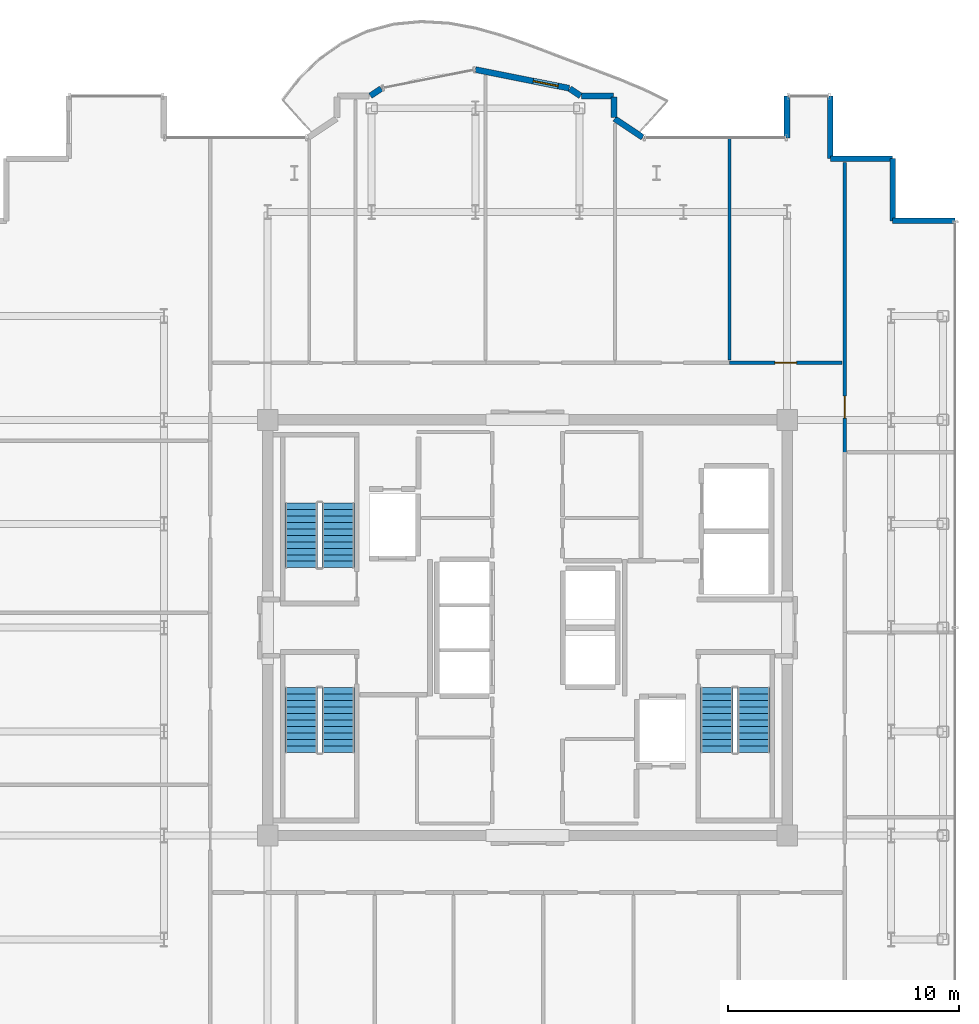
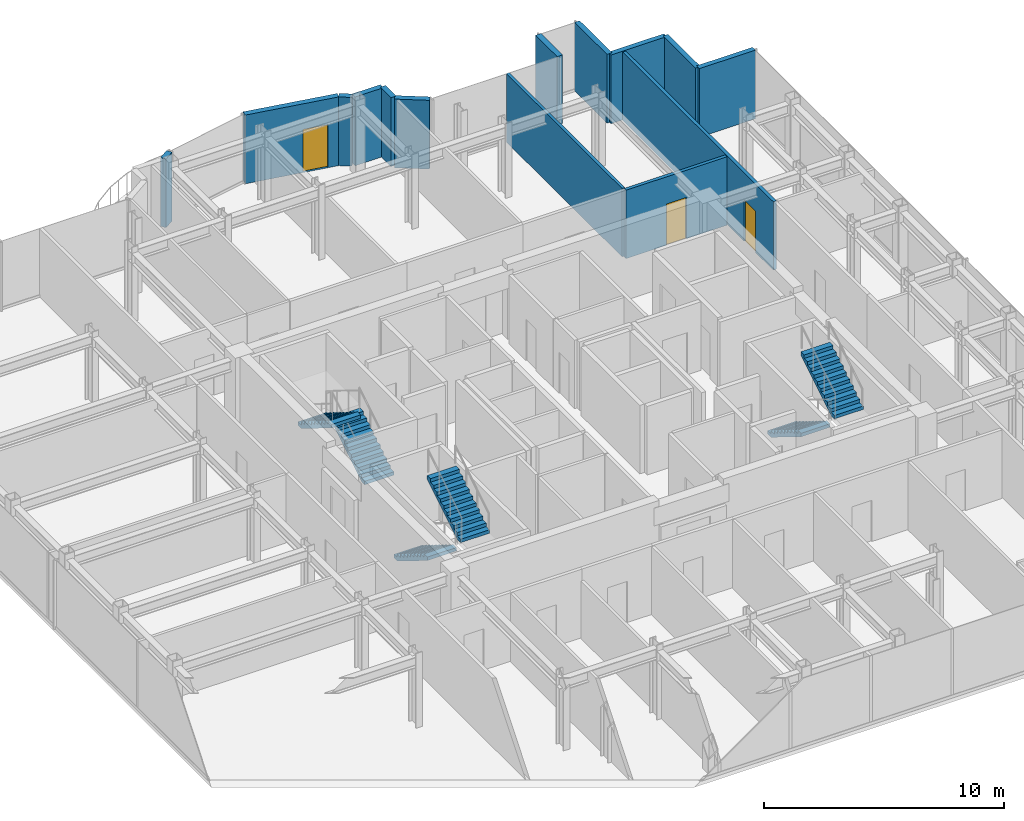
# One storey, part 17 of 18: 14 walls, 6 stair flights, 3 doors, 3 openings, 3 elements without a shape of their own.
"""IFC4 building model written with IfcOpenShell, lengths in metres."""

import ifcopenshell
import ifcopenshell.guid

model = None  # the IFC model being written
_history = None  # IfcOwnerHistory: only IFC2X3 demands one
_inside = {}  # id of a spatial element -> (the spatial element, [elements in it])
_under = {}  # id of a project, library or spatial element -> (it, [spatial elements below it])
_declared = {}  # id of a project -> (the project, [libraries it declares])
_typed = {}  # id of a type object -> (the type object, [elements of that type])
_made_of = {}  # id of a material, layer set ... -> (it, [elements and type objects made of it])


def new_model(schema):
    """Start an empty IFC model of exactly this schema.

    Asked for "IFC4X3", IfcOpenShell would pick the latest addendum, in which some entities
    have other attributes; the version numbers below select the first issue.
    IFC2X3 requires an IfcOwnerHistory on every rooted entity: one is made here for all.
    """
    global model, _history
    if schema == "IFC4X3":
        model = ifcopenshell.file(schema_version=(4, 3, 0, 0))
    else:
        model = ifcopenshell.file(schema=schema)
    _inside.clear()
    _under.clear()
    _declared.clear()
    _typed.clear()
    _made_of.clear()
    _history = None
    if model.schema == "IFC2X3":
        org = make("IfcOrganization", Name="unknown")
        user = make(
            "IfcPersonAndOrganization",
            ThePerson=make("IfcPerson", FamilyName="unknown"),
            TheOrganization=org,
        )
        app = make(
            "IfcApplication",
            ApplicationDeveloper=org,
            Version="unknown",
            ApplicationFullName="unknown",
            ApplicationIdentifier="unknown",
        )
        _history = make(
            "IfcOwnerHistory",
            OwningUser=user,
            OwningApplication=app,
            ChangeAction="ADDED",
            CreationDate=0,
        )
    return model


def make(cls, **values):
    """One entity of the class cls with the attributes given. An attribute that is None is left unset."""
    return model.create_entity(
        cls, **{name: value for name, value in values.items() if value is not None}
    )


def rooted(cls, **values):
    """An entity with a GlobalId (a new one), such as an element, a storey or a relation."""
    return make(cls, GlobalId=ifcopenshell.guid.new(), OwnerHistory=_history, **values)


def si_unit(unit_type, name, prefix=None):
    """IfcSIUnit, for example si_unit("LENGTHUNIT", "METRE", prefix="MILLI")."""
    return make("IfcSIUnit", UnitType=unit_type, Prefix=prefix, Name=name)


def assignment(units):
    """IfcUnitAssignment: the units of a project."""
    return None if units is None else make("IfcUnitAssignment", Units=units)


def point(xyz):
    """IfcCartesianPoint."""
    return None if xyz is None else make("IfcCartesianPoint", Coordinates=xyz)


def direction(xyz):
    """IfcDirection."""
    return None if xyz is None else make("IfcDirection", DirectionRatios=xyz)


def frame(location, z_axis=None, x_axis=None):
    """IfcAxis2Placement3D, a coordinate frame: its origin and axes. An axis left out is left unset."""
    return make(
        "IfcAxis2Placement3D",
        Location=point(location),
        Axis=direction(z_axis),
        RefDirection=direction(x_axis),
    )


def frame_2d(location, x_axis=None):
    """IfcAxis2Placement2D, a coordinate frame in the plane: its origin and x axis."""
    return make(
        "IfcAxis2Placement2D", Location=point(location), RefDirection=direction(x_axis)
    )


def origin():
    """The frame at (0, 0, 0) with its axes left unset."""
    return frame((0.0, 0.0, 0.0))


def place(relative_to, where):
    """IfcLocalPlacement: puts the frame where relative to a parent placement (None: the world)."""
    return make(
        "IfcLocalPlacement", PlacementRelTo=relative_to, RelativePlacement=where
    )


def context(
    kind, dimensions, precision=None, world=None, true_north=None, identifier=None
):
    """IfcGeometricRepresentationContext, for example the 3D "Model" context."""
    return make(
        "IfcGeometricRepresentationContext",
        ContextIdentifier=identifier,
        ContextType=kind,
        CoordinateSpaceDimension=dimensions,
        Precision=precision,
        WorldCoordinateSystem=world,
        TrueNorth=true_north,
    )


def subcontext(parent, identifier, kind, view, scale=None):
    """IfcGeometricRepresentationSubContext, for example "Body" below "Model"."""
    return make(
        "IfcGeometricRepresentationSubContext",
        ContextIdentifier=identifier,
        ContextType=kind,
        ParentContext=parent,
        TargetScale=scale,
        TargetView=view,
    )


def project(units=None, contexts=None):
    """IfcProject with its units and contexts."""
    return rooted(
        "IfcProject",
        Name="project",
        RepresentationContexts=contexts,
        UnitsInContext=assignment(units),
    )


def spatial(cls, under=None, at=None, **own):
    """A site, building, storey or space (cls), placed at a placement, below another one or the project."""
    s = rooted(cls, ObjectPlacement=at, **own)
    if under is not None:
        _under.setdefault(under.id(), (under, []))[1].append(s)
    return s


def polyline(points):
    """IfcPolyline through the points."""
    return make("IfcPolyline", Points=[point(p) for p in points])


def profile(cls, at=None, kind="AREA", **sizes):
    """A parametric profile (cls). Its sizes go by their IFC names, for example OverallWidth=200.0."""
    return make(cls, ProfileType=kind, Position=at, **sizes)


def rectangle(**sizes):
    """IfcRectangleProfileDef."""
    return profile("IfcRectangleProfileDef", **sizes)


def outline(outer, holes=None, kind="AREA"):
    """IfcArbitraryClosedProfileDef: a profile drawn as a closed curve; with holes, ...WithVoids."""
    if holes is None:
        return make("IfcArbitraryClosedProfileDef", ProfileType=kind, OuterCurve=outer)
    return make(
        "IfcArbitraryProfileDefWithVoids",
        ProfileType=kind,
        OuterCurve=outer,
        InnerCurves=holes,
    )


def extrude(swept, where, along, depth):
    """IfcExtrudedAreaSolid: the profile swept, set in the frame where, extruded along a direction by depth."""
    return make(
        "IfcExtrudedAreaSolid",
        SweptArea=swept,
        Position=where,
        ExtrudedDirection=direction(along),
        Depth=depth,
    )


def shape(context_of_items, identifier, shape_type, items):
    """IfcShapeRepresentation: the items that make up one representation, for example the "Body"."""
    return make(
        "IfcShapeRepresentation",
        ContextOfItems=context_of_items,
        RepresentationIdentifier=identifier,
        RepresentationType=shape_type,
        Items=items,
    )


def source(mapping_origin, context_of_items, identifier, shape_type, items):
    """IfcRepresentationMap: a shape defined once, which mapped items show again and again."""
    return make(
        "IfcRepresentationMap",
        MappingOrigin=mapping_origin,
        MappedRepresentation=shape(context_of_items, identifier, shape_type, items),
    )


def transform(
    local_origin,
    x_axis=None,
    y_axis=None,
    z_axis=None,
    scale=None,
    scale2=None,
    scale3=None,
    uniform=True,
):
    """IfcCartesianTransformationOperator3D, or its non-uniform kind. x_axis, y_axis, z_axis: its Axis1, 2, 3."""
    if uniform:
        return make(
            "IfcCartesianTransformationOperator3D",
            Axis1=direction(x_axis),
            Axis2=direction(y_axis),
            LocalOrigin=point(local_origin),
            Scale=scale,
            Axis3=direction(z_axis),
        )
    return make(
        "IfcCartesianTransformationOperator3DnonUniform",
        Axis1=direction(x_axis),
        Axis2=direction(y_axis),
        LocalOrigin=point(local_origin),
        Scale=scale,
        Axis3=direction(z_axis),
        Scale2=scale2,
        Scale3=scale3,
    )


def mapped(mapping_source, mapping_target):
    """IfcMappedItem: shows the shape of a source again, moved by a transform."""
    return make(
        "IfcMappedItem", MappingSource=mapping_source, MappingTarget=mapping_target
    )


def material(Name=None, Category=None):
    """IfcMaterial."""
    return make("IfcMaterial", Name=Name, Category=Category)


def layer(
    of_material, thickness, ventilated=None, Name=None, Category=None, Priority=None
):
    """IfcMaterialLayer: one layer of a wall or slab, of a material (None: an air gap)."""
    return make(
        "IfcMaterialLayer",
        Material=of_material,
        LayerThickness=thickness,
        IsVentilated=ventilated,
        Name=Name,
        Category=Category,
        Priority=Priority,
    )


def layer_set(layers, Name=None):
    """IfcMaterialLayerSet."""
    return make("IfcMaterialLayerSet", MaterialLayers=layers, LayerSetName=Name)


def made_of(thing, what):
    """Note that an element or type object is made of a material, layer set ...; save() writes the relation."""
    if what is not None:
        _made_of.setdefault(what.id(), (what, []))[1].append(thing)
    return thing


def type_object(cls, material=None, **own):
    """A type object (cls), such as IfcWallType, which elements share."""
    return made_of(rooted(cls, **own), material)


def element(
    cls,
    number,
    at=None,
    inside=None,
    cuts=None,
    type_object=None,
    material=None,
    context=None,
    identifier="Body",
    shape_type=None,
    held_by="IfcProductDefinitionShape",
    body=None,
    shapes=None,
    **own,
):
    """One element of the class cls, such as IfcWall. Its Tag is "e" and its number.

    at: its placement. inside: the storey or other place that contains it. cuts: it is an
    opening in that element (IfcRelVoidsElement). A single representation is given by context,
    identifier, shape_type and body (its items); several are given by shapes. held_by: the class
    of the entity that holds the representations. save() writes the other relations.
    """
    e = rooted(cls, Tag="e%d" % number, ObjectPlacement=at, **own)
    if body is not None:
        shapes = [shape(context, identifier, shape_type, body)]
    if shapes is not None:
        e.Representation = make(held_by, Representations=shapes)
    if inside is not None:
        _inside.setdefault(inside.id(), (inside, []))[1].append(e)
    if cuts is not None:
        rooted(
            "IfcRelVoidsElement", RelatingBuildingElement=cuts, RelatedOpeningElement=e
        )
    if type_object is not None:
        _typed.setdefault(type_object.id(), (type_object, []))[1].append(e)
    return made_of(e, material)


def fill(opening, filler):
    """IfcRelFillsElement: the door or window that sits in an opening."""
    return rooted(
        "IfcRelFillsElement",
        RelatingOpeningElement=opening,
        RelatedBuildingElement=filler,
    )


def aggregate(whole, parts):
    """IfcRelAggregates: a whole, such as a stair, and the parts it consists of."""
    return rooted("IfcRelAggregates", RelatingObject=whole, RelatedObjects=parts)


def save(model, path):
    """Write the relations noted so far, then the file.

    IfcRelAggregates (storeys below a building ...), IfcRelContainedInSpatialStructure (elements
    in a storey), IfcRelDefinesByType, IfcRelAssociatesMaterial and IfcRelDeclares: one each for
    every whole, place, type object, material and project.
    """
    for whole, parts in _under.values():
        aggregate(whole, parts)
    for where, things in _inside.values():
        rooted(
            "IfcRelContainedInSpatialStructure",
            RelatedElements=things,
            RelatingStructure=where,
        )
    for kind, things in _typed.values():
        rooted("IfcRelDefinesByType", RelatedObjects=things, RelatingType=kind)
    for what, things in _made_of.values():
        rooted("IfcRelAssociatesMaterial", RelatedObjects=things, RelatingMaterial=what)
    for by, libraries in _declared.values():
        rooted("IfcRelDeclares", RelatingContext=by, RelatedDefinitions=libraries)
    model.write(path)


model = new_model("IFC4")

# Units and contexts
model_context = context("Model", 3, precision=1e-05, world=origin(), true_north=direction((0.0, 1.0)))
body_context = subcontext(model_context, "Body", "Model", "MODEL_VIEW")
ifc_project = project(units=[si_unit("LENGTHUNIT", "METRE"), si_unit("AREAUNIT", "SQUARE_METRE"), si_unit("VOLUMEUNIT", "CUBIC_METRE"), si_unit("PLANEANGLEUNIT", "RADIAN"), si_unit("MASSUNIT", "GRAM", prefix="KILO")], contexts=[model_context])

# Site, building, storey
site_placement = place(None, origin())
site = spatial("IfcSite", under=ifc_project, at=site_placement, CompositionType="ELEMENT")
building_placement = place(site_placement, origin())
building = spatial("IfcBuilding", under=site, at=building_placement, Name="Nefas-Gora Pilgrimage Tower", CompositionType="ELEMENT")
storey_placement = place(building_placement, frame((0.0, 0.0, 314.0)))
storey = spatial("IfcBuildingStorey", under=building, at=storey_placement, Name="L79", CompositionType="ELEMENT", Elevation=314.0)

# Walls
ifc_material_1 = material(Name="Precast concrete C40/50", Category="concrete")
ifc_layer_1 = layer(ifc_material_1, 0.260009765625)
ifc_layer_set_1 = layer_set([ifc_layer_1], Name="Precast concrete C40/50")
wall_type_1 = type_object("IfcWallType", Name="EW-PORTAL-260", PredefinedType="SOLIDWALL", material=ifc_layer_set_1)
shared_shape_1 = source(origin(), body_context, "Body", "SweptSolid", [
    extrude(rectangle(XDim=1.800048828125, YDim=0.260009765625, at=frame_2d((0.89990234375, 0.0))), origin(), (0.0, 0.0, 1.0), 3.5),
])
wall_1_placement = place(storey_placement, frame((11.25, 23.02001953125, 0.0), z_axis=(0.0, 0.0, 1.0), x_axis=(0.0, -1.0, 0.0)))
element("IfcWall", 1, at=wall_1_placement, inside=storey, type_object=wall_type_1, Name="L79 Lobe Shoulder Precast Spandrel Pier 6", PredefinedType="SOLIDWALL", context=body_context, shape_type="MappedRepresentation", body=[
    mapped(shared_shape_1, transform((0.0, 0.0, 0.0), x_axis=(1.0, 0.0, 0.0), y_axis=(0.0, 1.0, 0.0), z_axis=(0.0, 0.0, 1.0), scale=1.0)),
])
ifc_material_2 = material(Name="Precast concrete C45/55", Category="concrete")
ifc_layer_2 = layer(ifc_material_2, 0.239990234375)
ifc_layer_set_2 = layer_set([ifc_layer_2], Name="Precast concrete C45/55")
wall_type_2 = type_object("IfcWallType", Name="EW-SERR-240", PredefinedType="SHEAR", material=ifc_layer_set_2)
shared_shape_2 = source(origin(), body_context, "Body", "SweptSolid", [
    extrude(rectangle(XDim=2.699951171875, YDim=0.239990234375, at=frame_2d((1.35009765625, 0.0))), origin(), (0.0, 0.0, 1.0), 3.5),
])
for number, where, z_axis, x_axis, name in (
    (2, (18.52001953125, 17.6201171875, 0.0), (0.0, 0.0, 1.0), (-1.0, 0.0, 0.0), "L79 Serrated Corner Shear Pier Wall 2"),
    (3, (15.820068359375, 17.6201171875, 0.0), (0.0, 0.0, 1.0), (0.0, 1.0, 0.0), "L79 Serrated Corner Shear Pier Wall 3"),
    (4, (15.820068359375, 20.320068359375, 0.0), (0.0, 0.0, 1.0), (-1.0, 0.0, 0.0), "L79 Serrated Corner Shear Pier Wall 4"),
    (5, (13.1201171875, 20.320068359375, 0.0), (0.0, 0.0, 1.0), (0.0, 1.0, 0.0), "L79 Serrated Corner Shear Pier Wall 5"),
):
    element("IfcWall", number, at=place(storey_placement, frame(where, z_axis=z_axis, x_axis=x_axis)), inside=storey, type_object=wall_type_2, Name=name, PredefinedType="SHEAR", context=body_context, shape_type="MappedRepresentation", body=[
        mapped(shared_shape_2, transform((0.0, 0.0, 0.0), x_axis=(1.0, 0.0, 0.0), y_axis=(0.0, 1.0, 0.0), z_axis=(0.0, 0.0, 1.0), scale=1.0)),
    ])
shared_shape_3 = source(origin(), body_context, "Body", "SweptSolid", [
    extrude(rectangle(XDim=1.468994140625, YDim=0.260009765625, at=frame_2d((0.734375, 0.0))), origin(), (0.0, 0.0, 1.0), 3.5),
])
wall_2_placement = place(storey_placement, frame((4.99462890625, 21.235595703125, 0.0), z_axis=(0.0, 0.0, 1.0), x_axis=(-0.831461760506, 0.555581983884, 0.0)))
element("IfcWall", 6, at=wall_2_placement, inside=storey, type_object=wall_type_1, Name="L79 Lobe Shoulder Precast Spandrel Pier 7", PredefinedType="SOLIDWALL", context=body_context, shape_type="MappedRepresentation", body=[
    mapped(shared_shape_3, transform((0.0, 0.0, 0.0), x_axis=(1.0, 0.0, 0.0), y_axis=(0.0, 1.0, 0.0), z_axis=(0.0, 0.0, 1.0), scale=1.0)),
])
shared_shape_4 = source(origin(), body_context, "Body", "SweptSolid", [
    extrude(rectangle(XDim=0.896728515625, YDim=0.260009765625, at=frame_2d((0.4482421875, 0.0))), origin(), (0.0, 0.0, 1.0), 3.5),
])
wall_3_placement = place(storey_placement, frame((3.75, 22.09521484375, 0.0), z_axis=(0.0, 0.0, 1.0), x_axis=(0.0, 1.0, 0.0)))
element("IfcWall", 7, at=wall_3_placement, inside=storey, type_object=wall_type_1, Name="L79 Lobe Shoulder Precast Spandrel Pier 8", PredefinedType="SOLIDWALL", context=body_context, shape_type="MappedRepresentation", body=[
    mapped(shared_shape_4, transform((0.0, 0.0, 0.0), x_axis=(1.0, 0.0, 0.0), y_axis=(0.0, 1.0, 0.0), z_axis=(0.0, 0.0, 1.0), scale=1.0)),
])
shared_shape_5 = source(origin(), body_context, "Body", "SweptSolid", [
    extrude(rectangle(XDim=1.369873046875, YDim=0.260009765625, at=frame_2d((0.68505859375, 0.0))), origin(), (0.0, 0.0, 1.0), 3.5),
])
wall_4_placement = place(storey_placement, frame((3.721923828125, 23.02001953125, 0.0), z_axis=(0.0, 0.0, 1.0), x_axis=(-1.0, 0.0, 0.0)))
element("IfcWall", 8, at=wall_4_placement, inside=storey, type_object=wall_type_1, Name="L79 Lobe Shoulder Precast Spandrel Pier 9", PredefinedType="SOLIDWALL", context=body_context, shape_type="MappedRepresentation", body=[
    mapped(shared_shape_5, transform((0.0, 0.0, 0.0), x_axis=(1.0, 0.0, 0.0), y_axis=(0.0, 1.0, 0.0), z_axis=(0.0, 0.0, 1.0), scale=1.0)),
])
shared_shape_6 = source(origin(), body_context, "Body", "SweptSolid", [
    extrude(rectangle(XDim=0.5654296875, YDim=0.260009765625, at=frame_2d((0.28271484375, 0.0))), origin(), (0.0, 0.0, 1.0), 3.5),
])
for number, where, z_axis, x_axis, name in (
    (9, (2.30078125, 23.03564453125, 0.0), (0.0, 0.0, 1.0), (-0.831651492666, 0.555297933317, 0.0), "L79 Lobe Shoulder Precast Spandrel Pier 10"),
    (10, (-6.33056640625, 23.349609375, 0.0), (0.0, 0.0, 1.0), (-0.831651492666, -0.555297933317, 0.0), "L79 Lobe Shoulder Precast Spandrel Pier 12"),
):
    element("IfcWall", number, at=place(storey_placement, frame(where, z_axis=z_axis, x_axis=x_axis)), inside=storey, type_object=wall_type_1, Name=name, PredefinedType="SOLIDWALL", context=body_context, shape_type="MappedRepresentation", body=[
        mapped(shared_shape_6, transform((0.0, 0.0, 0.0), x_axis=(1.0, 0.0, 0.0), y_axis=(0.0, 1.0, 0.0), z_axis=(0.0, 0.0, 1.0), scale=1.0)),
    ])

# Wall, opening, door
shared_shape_7 = source(origin(), body_context, "Body", "SweptSolid", [
    extrude(rectangle(XDim=4.136962890625, YDim=0.260009765625, at=frame_2d((2.068359375, 0.0))), origin(), (0.0, 0.0, 1.0), 3.5),
])
wall_5_placement = place(storey_placement, frame((1.807373046875, 23.365234375, 0.0), z_axis=(0.0, 0.0, 1.0), x_axis=(-0.980782170794, 0.195105954428, 0.0)))
wall_5 = element("IfcWall", 11, at=wall_5_placement, inside=storey, type_object=wall_type_1, Name="L79 Insulated Terrace Portal Wall 11", PredefinedType="SOLIDWALL", context=body_context, shape_type="MappedRepresentation", body=[
    mapped(shared_shape_7, transform((0.0, 0.0, 0.0), x_axis=(1.0, 0.0, 0.0), y_axis=(0.0, 1.0, 0.0), z_axis=(0.0, 0.0, 1.0), scale=1.0)),
])
opening_1_placement = place(wall_5_placement, frame((0.48779296875, 0.0, 0.0)))
opening_1 = element("IfcOpeningElement", 12, at=opening_1_placement, cuts=wall_5, Name="Opening ED-B1", PredefinedType="OPENING", context=body_context, shape_type="SweptSolid", body=[
    extrude(rectangle(XDim=1.10009765625, YDim=2.199951171875, at=frame_2d((0.550048828125, 1.10009765625))), frame((0.0, 0.139892578125, 0.0), z_axis=(0.0, -1.0, 0.0), x_axis=(1.0, 0.0, 0.0)), (0.0, 0.0, 1.0), 0.280029296875),
])
ifc_material_3 = material(Name="Thermally broken glazed aluminium balcony door", Category="aluminium")
door_type_1 = type_object("IfcDoorType", Name="DR-EXT-BAL-1100", OperationType="NOTDEFINED", PredefinedType="DOOR", material=ifc_material_3)
shared_shape_8 = source(origin(), body_context, "Body", "SweptSolid", [
    extrude(rectangle(XDim=1.10009765625, YDim=2.199951171875, at=frame_2d((0.550048828125, 1.10009765625))), frame((0.0, 0.02490234375, 0.0), z_axis=(0.0, -1.0, 0.0), x_axis=(1.0, 0.0, 0.0)), (0.0, 0.0, 1.0), 0.050048828125),
])
door_1_placement = place(opening_1_placement, origin())
door_1 = element("IfcDoor", 13, at=door_1_placement, inside=storey, type_object=door_type_1, Name="L79 Exterior Door (L79 N Lobe Wave Balcony)", OperationType="SINGLE_SWING_LEFT", OverallHeight=2.199951171875, OverallWidth=1.10009765625, PredefinedType="DOOR", context=body_context, shape_type="MappedRepresentation", body=[
    mapped(shared_shape_8, transform((0.0, 0.0, 0.0), x_axis=(1.0, 0.0, 0.0), y_axis=(0.0, 1.0, 0.0), z_axis=(0.0, 0.0, 1.0), scale=1.0)),
])
fill(opening_1, door_1)

# Wall
ifc_material_4 = material(Name="Gypsum twin-stud partition")
ifc_layer_3 = layer(ifc_material_4, 0.139892578125)
ifc_layer_set_3 = layer_set([ifc_layer_3], Name="Gypsum twin-stud partition")
wall_type_3 = type_object("IfcWallType", Name="IW-UNIT-140", PredefinedType="PARTITIONING", material=ifc_layer_set_3)
shared_shape_9 = source(origin(), body_context, "Body", "SweptSolid", [
    extrude(rectangle(XDim=9.64990234375, YDim=0.139892578125, at=frame_2d((4.824951171875, 0.0))), origin(), (0.0, 0.0, 1.0), 3.485107421875),
])
wall_6_placement = place(storey_placement, frame((8.75, 11.590087890625, 0.0), z_axis=(0.0, 0.0, 1.0), x_axis=(0.0, 1.0, 0.0)))
element("IfcWall", 14, at=wall_6_placement, inside=storey, type_object=wall_type_3, Name="L79 Pilgrim Contemplative Lounge Partition Wall 63", PredefinedType="PARTITIONING", context=body_context, shape_type="MappedRepresentation", body=[
    mapped(shared_shape_9, transform((0.0, 0.0, 0.0), x_axis=(1.0, 0.0, 0.0), y_axis=(0.0, 1.0, 0.0), z_axis=(0.0, 0.0, 1.0), scale=1.0)),
])

# Wall, opening, door
ifc_material_5 = material(Name="Gypsum acoustic stud partition")
ifc_layer_4 = layer(ifc_material_5, 0.159912109375)
ifc_layer_set_4 = layer_set([ifc_layer_4], Name="Gypsum acoustic stud partition")
wall_type_4 = type_object("IfcWallType", Name="IW-CORR-160", PredefinedType="PARTITIONING", material=ifc_layer_set_4)
shared_shape_10 = source(origin(), body_context, "Body", "SweptSolid", [
    extrude(rectangle(XDim=4.860107421875, YDim=0.159912109375, at=frame_2d((2.43017578125, 0.0))), origin(), (0.0, 0.0, 1.0), 3.485107421875),
])
wall_7_placement = place(storey_placement, frame((8.760009765625, 11.469970703125, 0.0), z_axis=(0.0, 0.0, 1.0), x_axis=(1.0, 0.0, 0.0)))
wall_7 = element("IfcWall", 15, at=wall_7_placement, inside=storey, type_object=wall_type_4, Name="L79 Pilgrim Contemplative Lounge Partition Wall 64", PredefinedType="PARTITIONING", context=body_context, shape_type="MappedRepresentation", body=[
    mapped(shared_shape_10, transform((0.0, 0.0, 0.0), x_axis=(1.0, 0.0, 0.0), y_axis=(0.0, 1.0, 0.0), z_axis=(0.0, 0.0, 1.0), scale=1.0)),
])
opening_2_placement = place(wall_7_placement, frame((1.955078125, 0.0, 0.0)))
opening_2 = element("IfcOpeningElement", 16, at=opening_2_placement, cuts=wall_7, Name="Opening ID-GR1", PredefinedType="OPENING", context=body_context, shape_type="SweptSolid", body=[
    extrude(rectangle(XDim=0.949951171875, YDim=2.10009765625, at=frame_2d((0.47509765625, 1.050048828125))), frame((0.0, 0.08984375, 0.0), z_axis=(0.0, -1.0, 0.0), x_axis=(1.0, 0.0, 0.0)), (0.0, 0.0, 1.0), 0.179931640625),
])
ifc_material_6 = material(Name="Solid core oak fire-rated guest entrance door")
door_type_2 = type_object("IfcDoorType", Name="DR-INT-GUEST-950", OperationType="NOTDEFINED", PredefinedType="DOOR", material=ifc_material_6)
shared_shape_11 = source(origin(), body_context, "Body", "SweptSolid", [
    extrude(rectangle(XDim=0.949951171875, YDim=2.10009765625, at=frame_2d((0.47509765625, 1.050048828125))), frame((0.0, 0.02490234375, 0.0), z_axis=(0.0, -1.0, 0.0), x_axis=(1.0, 0.0, 0.0)), (0.0, 0.0, 1.0), 0.050048828125),
])
door_2_placement = place(opening_2_placement, origin())
door_2 = element("IfcDoor", 17, at=door_2_placement, inside=storey, type_object=door_type_2, Name="L79 Pilgrim Contemplative Lounge Door 29", OperationType="SINGLE_SWING_RIGHT", OverallHeight=2.10009765625, OverallWidth=0.949951171875, PredefinedType="DOOR", context=body_context, shape_type="MappedRepresentation", body=[
    mapped(shared_shape_11, transform((0.0, 0.0, 0.0), x_axis=(1.0, 0.0, 0.0), y_axis=(0.0, 1.0, 0.0), z_axis=(0.0, 0.0, 1.0), scale=1.0)),
])
fill(opening_2, door_2)

shared_shape_12 = source(origin(), body_context, "Body", "SweptSolid", [
    extrude(rectangle(XDim=12.56494140625, YDim=0.159912109375, at=frame_2d((6.282470703125, 0.0))), origin(), (0.0, 0.0, 1.0), 3.485107421875),
])
wall_8_placement = place(storey_placement, frame((13.739990234375, 7.594970703125, 0.0), z_axis=(0.0, 0.0, 1.0), x_axis=(0.0, 1.0, 0.0)))
wall_8 = element("IfcWall", 18, at=wall_8_placement, inside=storey, type_object=wall_type_4, Name="L79 Pilgrim Contemplative Lounge Partition Wall 56", PredefinedType="PARTITIONING", context=body_context, shape_type="MappedRepresentation", body=[
    mapped(shared_shape_12, transform((0.0, 0.0, 0.0), x_axis=(1.0, 0.0, 0.0), y_axis=(0.0, 1.0, 0.0), z_axis=(0.0, 0.0, 1.0), scale=1.0)),
])
opening_3_placement = place(wall_8_placement, frame((1.482421875, 0.0, 0.0)))
opening_3 = element("IfcOpeningElement", 19, at=opening_3_placement, cuts=wall_8, Name="Opening ID-GR1", PredefinedType="OPENING", context=body_context, shape_type="SweptSolid", body=[
    extrude(rectangle(XDim=0.949951171875, YDim=2.10009765625, at=frame_2d((0.47509765625, 1.050048828125))), frame((0.0, 0.08984375, 0.0), z_axis=(0.0, -1.0, 0.0), x_axis=(1.0, 0.0, 0.0)), (0.0, 0.0, 1.0), 0.179931640625),
])
door_3_placement = place(opening_3_placement, origin())
door_3 = element("IfcDoor", 20, at=door_3_placement, inside=storey, type_object=door_type_2, Name="L79 Pilgrim Contemplative Lounge Door 24", OperationType="SINGLE_SWING_LEFT", OverallHeight=2.10009765625, OverallWidth=0.949951171875, PredefinedType="DOOR", context=body_context, shape_type="MappedRepresentation", body=[
    mapped(shared_shape_11, transform((0.0, 0.0, 0.0), x_axis=(1.0, 0.0, 0.0), y_axis=(0.0, 1.0, 0.0), z_axis=(0.0, 0.0, 1.0), scale=1.0)),
])
fill(opening_3, door_3)

# Stair, stair flights
ifc_material_7 = material(Name="Concrete C45/55", Category="concrete")
stair_type = type_object("IfcStairType", Name="STR-1400-R1727", PredefinedType="HALF_TURN_STAIR", material=ifc_material_7)
stair_1_placement = place(storey_placement, origin())
stair_1 = element("IfcStair", 21, at=stair_1_placement, inside=storey, type_object=stair_type, Name="L79 Pressurised Tower Exit Stair ST-01", PredefinedType="HALF_TURN_STAIR")
stair_flight_type = type_object("IfcStairFlightType", Name="STF-1400-R1727", PredefinedType="STRAIGHT", material=ifc_material_7)
shared_shape_13 = source(origin(), body_context, "Body", "SweptSolid", [
    extrude(outline(polyline([(0.0, 0.0), (0.0, 0.172607421875), (0.280029296875, 0.172607421875), (0.280029296875, 0.345458984375), (0.56005859375, 0.345458984375), (0.56005859375, 0.51806640625), (0.840087890625, 0.51806640625), (0.840087890625, 0.69091796875), (1.1201171875, 0.69091796875), (1.1201171875, 0.863525390625), (1.39990234375, 0.863525390625), (1.39990234375, 1.036376953125), (1.679931640625, 1.036376953125), (1.679931640625, 1.208984375), (1.9599609375, 1.208984375), (1.9599609375, 1.3818359375), (2.239990234375, 1.3818359375), (2.239990234375, 1.554443359375), (2.52001953125, 1.554443359375), (2.52001953125, 1.727294921875), (2.800048828125, 1.727294921875), (2.800048828125, 1.89990234375), (2.800048828125, 1.551025390625), (0.285400390625, 0.0), (0.0, 0.0)])), frame((0.0, 0.699951171875, 0.0), z_axis=(0.0, -1.0, 0.0), x_axis=(1.0, 0.0, 0.0)), (0.0, 0.0, 1.0), 1.39990234375),
])
stair_flight_1_placement = place(storey_placement, frame((-8.199951171875, 2.60009765625, 0.0), z_axis=(0.0, 0.0, 1.0), x_axis=(0.0, 1.0, 0.0)))
stair_flight_1 = element("IfcStairFlight", 22, at=stair_flight_1_placement, type_object=stair_flight_type, Name="ST-01 flight 1", NumberOfRisers=11, NumberOfTreads=10, PredefinedType="STRAIGHT", RiserHeight=0.172727273, TreadLength=0.28, context=body_context, shape_type="MappedRepresentation", body=[
    mapped(shared_shape_13, transform((0.0, 0.0, 0.0), x_axis=(1.0, 0.0, 0.0), y_axis=(0.0, 1.0, 0.0), z_axis=(0.0, 0.0, 1.0), scale=1.0)),
])
stair_flight_2_placement = place(storey_placement, frame((-9.800048828125, 5.39990234375, 1.89990234375), z_axis=(0.0, 0.0, 1.0), x_axis=(0.0, -1.0, 0.0)))
stair_flight_2 = element("IfcStairFlight", 23, at=stair_flight_2_placement, type_object=stair_flight_type, Name="ST-01 flight 2", NumberOfRisers=11, NumberOfTreads=10, PredefinedType="STRAIGHT", RiserHeight=0.172727273, TreadLength=0.28, context=body_context, shape_type="MappedRepresentation", body=[
    mapped(shared_shape_13, transform((0.0, 0.0, 0.0), x_axis=(1.0, 0.0, 0.0), y_axis=(0.0, 1.0, 0.0), z_axis=(0.0, 0.0, 1.0), scale=1.0)),
])
aggregate(stair_1, [stair_flight_1, stair_flight_2])

stair_2_placement = place(storey_placement, origin())
stair_2 = element("IfcStair", 24, at=stair_2_placement, inside=storey, type_object=stair_type, Name="L79 Pressurised Tower Exit Stair ST-02", PredefinedType="HALF_TURN_STAIR")
stair_flight_3_placement = place(storey_placement, frame((8.199951171875, -2.60009765625, 0.0), z_axis=(0.0, 0.0, 1.0), x_axis=(0.0, -1.0, 0.0)))
stair_flight_3 = element("IfcStairFlight", 25, at=stair_flight_3_placement, type_object=stair_flight_type, Name="ST-02 flight 1", NumberOfRisers=11, NumberOfTreads=10, PredefinedType="STRAIGHT", RiserHeight=0.172727273, TreadLength=0.28, context=body_context, shape_type="MappedRepresentation", body=[
    mapped(shared_shape_13, transform((0.0, 0.0, 0.0), x_axis=(1.0, 0.0, 0.0), y_axis=(0.0, 1.0, 0.0), z_axis=(0.0, 0.0, 1.0), scale=1.0)),
])
stair_flight_4_placement = place(storey_placement, frame((9.800048828125, -5.39990234375, 1.89990234375), z_axis=(0.0, 0.0, 1.0), x_axis=(0.0, 1.0, 0.0)))
stair_flight_4 = element("IfcStairFlight", 26, at=stair_flight_4_placement, type_object=stair_flight_type, Name="ST-02 flight 2", NumberOfRisers=11, NumberOfTreads=10, PredefinedType="STRAIGHT", RiserHeight=0.172727273, TreadLength=0.28, context=body_context, shape_type="MappedRepresentation", body=[
    mapped(shared_shape_13, transform((0.0, 0.0, 0.0), x_axis=(1.0, 0.0, 0.0), y_axis=(0.0, 1.0, 0.0), z_axis=(0.0, 0.0, 1.0), scale=1.0)),
])
aggregate(stair_2, [stair_flight_3, stair_flight_4])

stair_3_placement = place(storey_placement, origin())
stair_3 = element("IfcStair", 27, at=stair_3_placement, inside=storey, type_object=stair_type, Name="L79 Pressurised Tower Exit Stair ST-03", PredefinedType="HALF_TURN_STAIR")
stair_flight_5_placement = place(storey_placement, frame((-9.800048828125, -2.60009765625, 0.0), z_axis=(0.0, 0.0, 1.0), x_axis=(0.0, -1.0, 0.0)))
stair_flight_5 = element("IfcStairFlight", 28, at=stair_flight_5_placement, type_object=stair_flight_type, Name="ST-03 flight 1", NumberOfRisers=11, NumberOfTreads=10, PredefinedType="STRAIGHT", RiserHeight=0.172727273, TreadLength=0.28, context=body_context, shape_type="MappedRepresentation", body=[
    mapped(shared_shape_13, transform((0.0, 0.0, 0.0), x_axis=(1.0, 0.0, 0.0), y_axis=(0.0, 1.0, 0.0), z_axis=(0.0, 0.0, 1.0), scale=1.0)),
])
stair_flight_6_placement = place(storey_placement, frame((-8.199951171875, -5.39990234375, 1.89990234375), z_axis=(0.0, 0.0, 1.0), x_axis=(0.0, 1.0, 0.0)))
stair_flight_6 = element("IfcStairFlight", 29, at=stair_flight_6_placement, type_object=stair_flight_type, Name="ST-03 flight 2", NumberOfRisers=11, NumberOfTreads=10, PredefinedType="STRAIGHT", RiserHeight=0.172727273, TreadLength=0.28, context=body_context, shape_type="MappedRepresentation", body=[
    mapped(shared_shape_13, transform((0.0, 0.0, 0.0), x_axis=(1.0, 0.0, 0.0), y_axis=(0.0, 1.0, 0.0), z_axis=(0.0, 0.0, 1.0), scale=1.0)),
])
aggregate(stair_3, [stair_flight_5, stair_flight_6])

save(model, "model.ifc")
